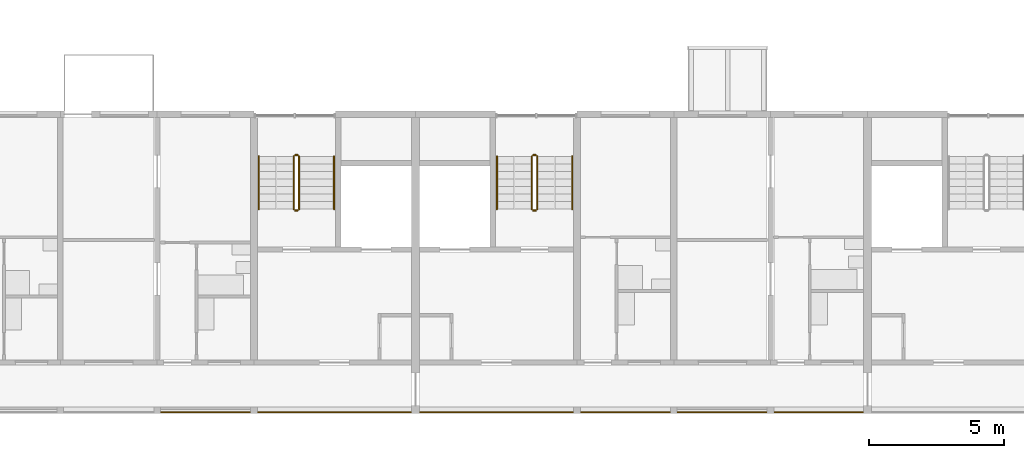
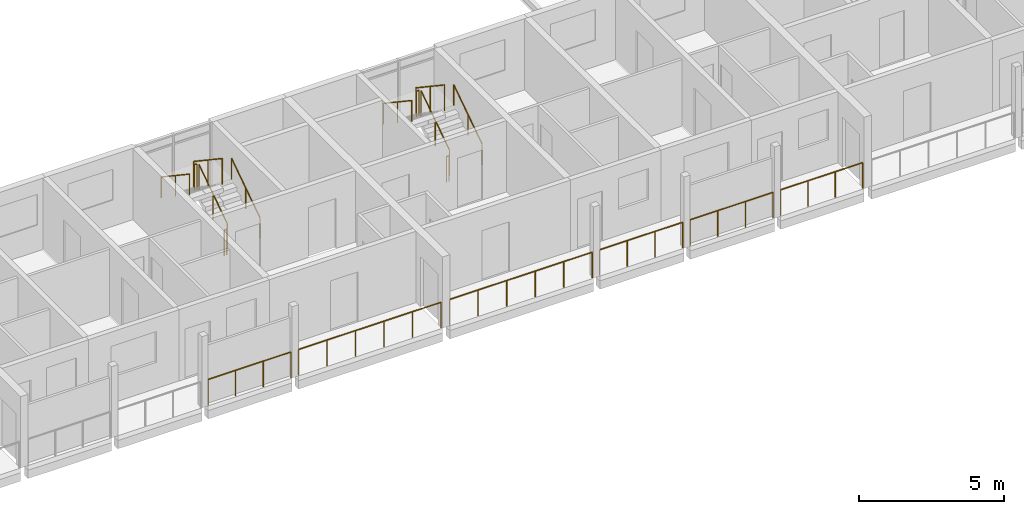
# One storey, part 92 of 99: 18 railings.
"""IFC4 building model written with IfcOpenShell, lengths in metres."""

import ifcopenshell
import ifcopenshell.guid

model = None  # the IFC model being written
_history = None  # IfcOwnerHistory: only IFC2X3 demands one
_inside = {}  # id of a spatial element -> (the spatial element, [elements in it])
_under = {}  # id of a project, library or spatial element -> (it, [spatial elements below it])
_declared = {}  # id of a project -> (the project, [libraries it declares])
_typed = {}  # id of a type object -> (the type object, [elements of that type])
_made_of = {}  # id of a material, layer set ... -> (it, [elements and type objects made of it])


def new_model(schema):
    """Start an empty IFC model of exactly this schema.

    Asked for "IFC4X3", IfcOpenShell would pick the latest addendum, in which some entities
    have other attributes; the version numbers below select the first issue.
    IFC2X3 requires an IfcOwnerHistory on every rooted entity: one is made here for all.
    """
    global model, _history
    if schema == "IFC4X3":
        model = ifcopenshell.file(schema_version=(4, 3, 0, 0))
    else:
        model = ifcopenshell.file(schema=schema)
    _inside.clear()
    _under.clear()
    _declared.clear()
    _typed.clear()
    _made_of.clear()
    _history = None
    if model.schema == "IFC2X3":
        org = make("IfcOrganization", Name="unknown")
        user = make(
            "IfcPersonAndOrganization",
            ThePerson=make("IfcPerson", FamilyName="unknown"),
            TheOrganization=org,
        )
        app = make(
            "IfcApplication",
            ApplicationDeveloper=org,
            Version="unknown",
            ApplicationFullName="unknown",
            ApplicationIdentifier="unknown",
        )
        _history = make(
            "IfcOwnerHistory",
            OwningUser=user,
            OwningApplication=app,
            ChangeAction="ADDED",
            CreationDate=0,
        )
    return model


def make(cls, **values):
    """One entity of the class cls with the attributes given. An attribute that is None is left unset."""
    return model.create_entity(
        cls, **{name: value for name, value in values.items() if value is not None}
    )


def rooted(cls, **values):
    """An entity with a GlobalId (a new one), such as an element, a storey or a relation."""
    return make(cls, GlobalId=ifcopenshell.guid.new(), OwnerHistory=_history, **values)


def si_unit(unit_type, name, prefix=None):
    """IfcSIUnit, for example si_unit("LENGTHUNIT", "METRE", prefix="MILLI")."""
    return make("IfcSIUnit", UnitType=unit_type, Prefix=prefix, Name=name)


def assignment(units):
    """IfcUnitAssignment: the units of a project."""
    return None if units is None else make("IfcUnitAssignment", Units=units)


def point(xyz):
    """IfcCartesianPoint."""
    return None if xyz is None else make("IfcCartesianPoint", Coordinates=xyz)


def direction(xyz):
    """IfcDirection."""
    return None if xyz is None else make("IfcDirection", DirectionRatios=xyz)


def frame(location, z_axis=None, x_axis=None):
    """IfcAxis2Placement3D, a coordinate frame: its origin and axes. An axis left out is left unset."""
    return make(
        "IfcAxis2Placement3D",
        Location=point(location),
        Axis=direction(z_axis),
        RefDirection=direction(x_axis),
    )


def frame_2d(location, x_axis=None):
    """IfcAxis2Placement2D, a coordinate frame in the plane: its origin and x axis."""
    return make(
        "IfcAxis2Placement2D", Location=point(location), RefDirection=direction(x_axis)
    )


def origin():
    """The frame at (0, 0, 0) with its axes left unset."""
    return frame((0.0, 0.0, 0.0))


def origin_2d():
    """The frame at (0, 0) in the plane with its x axis left unset."""
    return frame_2d((0.0, 0.0))


def place(relative_to, where):
    """IfcLocalPlacement: puts the frame where relative to a parent placement (None: the world)."""
    return make(
        "IfcLocalPlacement", PlacementRelTo=relative_to, RelativePlacement=where
    )


def context(
    kind, dimensions, precision=None, world=None, true_north=None, identifier=None
):
    """IfcGeometricRepresentationContext, for example the 3D "Model" context."""
    return make(
        "IfcGeometricRepresentationContext",
        ContextIdentifier=identifier,
        ContextType=kind,
        CoordinateSpaceDimension=dimensions,
        Precision=precision,
        WorldCoordinateSystem=world,
        TrueNorth=true_north,
    )


def subcontext(parent, identifier, kind, view, scale=None):
    """IfcGeometricRepresentationSubContext, for example "Body" below "Model"."""
    return make(
        "IfcGeometricRepresentationSubContext",
        ContextIdentifier=identifier,
        ContextType=kind,
        ParentContext=parent,
        TargetScale=scale,
        TargetView=view,
    )


def project(units=None, contexts=None):
    """IfcProject with its units and contexts."""
    return rooted(
        "IfcProject",
        Name="project",
        RepresentationContexts=contexts,
        UnitsInContext=assignment(units),
    )


def spatial(cls, under=None, at=None, **own):
    """A site, building, storey or space (cls), placed at a placement, below another one or the project."""
    s = rooted(cls, ObjectPlacement=at, **own)
    if under is not None:
        _under.setdefault(under.id(), (under, []))[1].append(s)
    return s


def profile(cls, at=None, kind="AREA", **sizes):
    """A parametric profile (cls). Its sizes go by their IFC names, for example OverallWidth=200.0."""
    return make(cls, ProfileType=kind, Position=at, **sizes)


def circle(**sizes):
    """IfcCircleProfileDef."""
    return profile("IfcCircleProfileDef", **sizes)


def extrude(swept, where, along, depth):
    """IfcExtrudedAreaSolid: the profile swept, set in the frame where, extruded along a direction by depth."""
    return make(
        "IfcExtrudedAreaSolid",
        SweptArea=swept,
        Position=where,
        ExtrudedDirection=direction(along),
        Depth=depth,
    )


def shape(context_of_items, identifier, shape_type, items):
    """IfcShapeRepresentation: the items that make up one representation, for example the "Body"."""
    return make(
        "IfcShapeRepresentation",
        ContextOfItems=context_of_items,
        RepresentationIdentifier=identifier,
        RepresentationType=shape_type,
        Items=items,
    )


def material(Name=None, Category=None):
    """IfcMaterial."""
    return make("IfcMaterial", Name=Name, Category=Category)


def made_of(thing, what):
    """Note that an element or type object is made of a material, layer set ...; save() writes the relation."""
    if what is not None:
        _made_of.setdefault(what.id(), (what, []))[1].append(thing)
    return thing


def type_object(cls, material=None, **own):
    """A type object (cls), such as IfcWallType, which elements share."""
    return made_of(rooted(cls, **own), material)


def element(
    cls,
    number,
    at=None,
    inside=None,
    cuts=None,
    type_object=None,
    material=None,
    context=None,
    identifier="Body",
    shape_type=None,
    held_by="IfcProductDefinitionShape",
    body=None,
    shapes=None,
    **own,
):
    """One element of the class cls, such as IfcWall. Its Tag is "e" and its number.

    at: its placement. inside: the storey or other place that contains it. cuts: it is an
    opening in that element (IfcRelVoidsElement). A single representation is given by context,
    identifier, shape_type and body (its items); several are given by shapes. held_by: the class
    of the entity that holds the representations. save() writes the other relations.
    """
    e = rooted(cls, Tag="e%d" % number, ObjectPlacement=at, **own)
    if body is not None:
        shapes = [shape(context, identifier, shape_type, body)]
    if shapes is not None:
        e.Representation = make(held_by, Representations=shapes)
    if inside is not None:
        _inside.setdefault(inside.id(), (inside, []))[1].append(e)
    if cuts is not None:
        rooted(
            "IfcRelVoidsElement", RelatingBuildingElement=cuts, RelatedOpeningElement=e
        )
    if type_object is not None:
        _typed.setdefault(type_object.id(), (type_object, []))[1].append(e)
    return made_of(e, material)


def aggregate(whole, parts):
    """IfcRelAggregates: a whole, such as a stair, and the parts it consists of."""
    return rooted("IfcRelAggregates", RelatingObject=whole, RelatedObjects=parts)


def save(model, path):
    """Write the relations noted so far, then the file.

    IfcRelAggregates (storeys below a building ...), IfcRelContainedInSpatialStructure (elements
    in a storey), IfcRelDefinesByType, IfcRelAssociatesMaterial and IfcRelDeclares: one each for
    every whole, place, type object, material and project.
    """
    for whole, parts in _under.values():
        aggregate(whole, parts)
    for where, things in _inside.values():
        rooted(
            "IfcRelContainedInSpatialStructure",
            RelatedElements=things,
            RelatingStructure=where,
        )
    for kind, things in _typed.values():
        rooted("IfcRelDefinesByType", RelatedObjects=things, RelatingType=kind)
    for what, things in _made_of.values():
        rooted("IfcRelAssociatesMaterial", RelatedObjects=things, RelatingMaterial=what)
    for by, libraries in _declared.values():
        rooted("IfcRelDeclares", RelatingContext=by, RelatedDefinitions=libraries)
    model.write(path)


model = new_model("IFC4")

# Units and contexts
model_context = context("Model", 3, precision=1e-05, world=origin(), true_north=direction((0.0, 1.0)))
body_context = subcontext(model_context, "Body", "Model", "MODEL_VIEW")
ifc_project = project(units=[si_unit("LENGTHUNIT", "METRE"), si_unit("AREAUNIT", "SQUARE_METRE"), si_unit("VOLUMEUNIT", "CUBIC_METRE"), si_unit("PLANEANGLEUNIT", "RADIAN"), si_unit("MASSUNIT", "GRAM", prefix="KILO")], contexts=[model_context])

# Site, building, storey
site_placement = place(None, origin())
site = spatial("IfcSite", under=ifc_project, at=site_placement, CompositionType="ELEMENT")
building_placement = place(site_placement, origin())
building = spatial("IfcBuilding", under=site, at=building_placement, Name="Ridgestep Commons", CompositionType="ELEMENT")
storey_placement = place(building_placement, frame((0.0, 0.0, 15.0)))
storey = spatial("IfcBuildingStorey", under=building, at=storey_placement, Name="L05", CompositionType="ELEMENT", Elevation=15.0)

# Railings
ifc_material_1 = material(Name="Structural steel S355JR", Category="steel")
railing_type_1 = type_object("IfcRailingType", Name="Guard 1100", PredefinedType="GUARDRAIL", material=ifc_material_1)
railing_1_placement = place(storey_placement, frame((204.5458984375, 11.800048828125, 0.0)))
element("IfcRailing", 1, at=railing_1_placement, inside=storey, type_object=railing_type_1, Name="Gallery guard D 05.15", PredefinedType="GUARDRAIL", context=body_context, shape_type="SweptSolid", body=[
    extrude(circle(Radius=0.02392578125, at=origin_2d()), frame((0.0, 0.0, 1.076171875), z_axis=(1.0, 0.0, 0.0), x_axis=(0.0, 1.0, 0.0)), (0.0, 0.0, 1.0), 3.30810546875),
    extrude(circle(Radius=0.02099609375, at=origin_2d()), origin(), (0.0, 0.0, 1.0), 1.052001953125),
    extrude(circle(Radius=0.02099609375, at=origin_2d()), frame((1.102783203125, 0.0, 0.0)), (0.0, 0.0, 1.0), 1.052001953125),
    extrude(circle(Radius=0.02099609375, at=origin_2d()), frame((2.205322265625, 0.0, 0.0)), (0.0, 0.0, 1.0), 1.052001953125),
    extrude(circle(Radius=0.02099609375, at=origin_2d()), frame((3.30810546875, 0.0, 0.0)), (0.0, 0.0, 1.0), 1.052001953125),
])
for number, where, name in (
    (2, (208.14599609375, 11.800048828125, 0.0), "Gallery guard D 05.16"),
    (3, (214.1708984375, 11.800048828125, 0.0), "Gallery guard D 05.17"),
):
    element("IfcRailing", number, at=place(storey_placement, frame(where)), inside=storey, type_object=railing_type_1, Name=name, PredefinedType="GUARDRAIL", context=body_context, shape_type="SweptSolid", body=[
        extrude(circle(Radius=0.02392578125, at=origin_2d()), frame((0.0, 0.0, 1.076171875), z_axis=(1.0, 0.0, 0.0), x_axis=(0.0, 1.0, 0.0)), (0.0, 0.0, 1.0), 5.68310546875),
        extrude(circle(Radius=0.02099609375, at=origin_2d()), origin(), (0.0, 0.0, 1.0), 1.052001953125),
        extrude(circle(Radius=0.02099609375, at=origin_2d()), frame((1.13671875, 0.0, 0.0)), (0.0, 0.0, 1.0), 1.052001953125),
        extrude(circle(Radius=0.02099609375, at=origin_2d()), frame((2.273193359375, 0.0, 0.0)), (0.0, 0.0, 1.0), 1.052001953125),
        extrude(circle(Radius=0.02099609375, at=origin_2d()), frame((3.409912109375, 0.0, 0.0)), (0.0, 0.0, 1.0), 1.052001953125),
        extrude(circle(Radius=0.02099609375, at=origin_2d()), frame((4.54638671875, 0.0, 0.0)), (0.0, 0.0, 1.0), 1.052001953125),
        extrude(circle(Radius=0.02099609375, at=origin_2d()), frame((5.68310546875, 0.0, 0.0)), (0.0, 0.0, 1.0), 1.052001953125),
    ])
railing_2_placement = place(storey_placement, frame((220.14599609375, 11.800048828125, 0.0)))
element("IfcRailing", 4, at=railing_2_placement, inside=storey, type_object=railing_type_1, Name="Gallery guard D 05.18", PredefinedType="GUARDRAIL", context=body_context, shape_type="SweptSolid", body=[
    extrude(circle(Radius=0.02392578125, at=origin_2d()), frame((0.0, 0.0, 1.076171875), z_axis=(1.0, 0.0, 0.0), x_axis=(0.0, 1.0, 0.0)), (0.0, 0.0, 1.0), 3.30810546875),
    extrude(circle(Radius=0.02099609375, at=origin_2d()), origin(), (0.0, 0.0, 1.0), 1.052001953125),
    extrude(circle(Radius=0.02099609375, at=origin_2d()), frame((1.102783203125, 0.0, 0.0)), (0.0, 0.0, 1.0), 1.052001953125),
    extrude(circle(Radius=0.02099609375, at=origin_2d()), frame((2.205322265625, 0.0, 0.0)), (0.0, 0.0, 1.0), 1.052001953125),
    extrude(circle(Radius=0.02099609375, at=origin_2d()), frame((3.30810546875, 0.0, 0.0)), (0.0, 0.0, 1.0), 1.052001953125),
])
railing_3_placement = place(storey_placement, frame((223.74609375, 11.800048828125, 0.0)))
element("IfcRailing", 5, at=railing_3_placement, inside=storey, type_object=railing_type_1, Name="Gallery guard D 05.19", PredefinedType="GUARDRAIL", context=body_context, shape_type="SweptSolid", body=[
    extrude(circle(Radius=0.02392578125, at=origin_2d()), frame((0.0, 0.0, 1.076171875), z_axis=(1.0, 0.0, 0.0), x_axis=(0.0, 1.0, 0.0)), (0.0, 0.0, 1.0), 3.307861328125),
    extrude(circle(Radius=0.02099609375, at=origin_2d()), origin(), (0.0, 0.0, 1.0), 1.052001953125),
    extrude(circle(Radius=0.02099609375, at=origin_2d()), frame((1.1025390625, 0.0, 0.0)), (0.0, 0.0, 1.0), 1.052001953125),
    extrude(circle(Radius=0.02099609375, at=origin_2d()), frame((2.205322265625, 0.0, 0.0)), (0.0, 0.0, 1.0), 1.052001953125),
    extrude(circle(Radius=0.02099609375, at=origin_2d()), frame((3.307861328125, 0.0, 0.0)), (0.0, 0.0, 1.0), 1.052001953125),
])
railing_4_placement = place(storey_placement, frame((227.345947265625, 11.800048828125, 0.0)))
element("IfcRailing", 6, at=railing_4_placement, inside=storey, type_object=railing_type_1, Name="Gallery guard D 05.20", PredefinedType="GUARDRAIL", context=body_context, shape_type="SweptSolid", body=[
    extrude(circle(Radius=0.02392578125, at=origin_2d()), frame((0.0, 0.0, 1.076171875), z_axis=(1.0, 0.0, 0.0), x_axis=(0.0, 1.0, 0.0)), (0.0, 0.0, 1.0), 3.282958984375),
    extrude(circle(Radius=0.02099609375, at=origin_2d()), origin(), (0.0, 0.0, 1.0), 1.052001953125),
    extrude(circle(Radius=0.02099609375, at=origin_2d()), frame((1.09423828125, 0.0, 0.0)), (0.0, 0.0, 1.0), 1.052001953125),
    extrude(circle(Radius=0.02099609375, at=origin_2d()), frame((2.188720703125, 0.0, 0.0)), (0.0, 0.0, 1.0), 1.052001953125),
    extrude(circle(Radius=0.02099609375, at=origin_2d()), frame((3.282958984375, 0.0, 0.0)), (0.0, 0.0, 1.0), 1.052001953125),
])
ifc_material_2 = material(Name="Structural steel S355JR", Category="steel")
railing_type_2 = type_object("IfcRailingType", Name="Stair guard 1100", PredefinedType="GUARDRAIL", material=ifc_material_2)
railing_5_placement = place(storey_placement, frame((209.675048828125, 19.35009765625, 0.1875)))
element("IfcRailing", 7, at=railing_5_placement, inside=storey, type_object=railing_type_2, Name="L05 D4C stair guard 1", PredefinedType="GUARDRAIL", context=body_context, shape_type="SweptSolid", body=[
    extrude(circle(Radius=0.02392578125, at=origin_2d()), frame((0.0, 0.0, 1.076171875), z_axis=(0.0, 0.830902050051, 0.556418712142), x_axis=(-1.0, 0.0, 0.0)), (0.0, 0.0, 1.0), 2.35888671875),
    extrude(circle(Radius=0.02099609375, at=origin_2d()), origin(), (0.0, 0.0, 1.0), 1.052001953125),
    extrude(circle(Radius=0.02099609375, at=origin_2d()), frame((0.0, 0.97998046875, 0.65625)), (0.0, 0.0, 1.0), 1.052001953125),
    extrude(circle(Radius=0.02099609375, at=origin_2d()), frame((0.0, 1.9599609375, 1.3125)), (0.0, 0.0, 1.0), 1.052001953125),
])
railing_6_placement = place(storey_placement, frame((209.625, 21.360107421875, 1.5)))
element("IfcRailing", 8, at=railing_6_placement, inside=storey, type_object=railing_type_2, Name="L05 D4C stair guard 2", PredefinedType="GUARDRAIL", context=body_context, shape_type="SweptSolid", body=[
    extrude(circle(Radius=0.02392578125, at=origin_2d()), frame((0.0, 0.0, 1.076171875), z_axis=(-1.0, 0.0, 0.0), x_axis=(0.0, -1.0, 0.0)), (0.0, 0.0, 1.0), 0.10009765625),
    extrude(circle(Radius=0.02099609375, at=origin_2d()), origin(), (0.0, 0.0, 1.0), 1.052001953125),
    extrude(circle(Radius=0.02099609375, at=origin_2d()), frame((-0.10009765625, 0.0, 0.0)), (0.0, 0.0, 1.0), 1.052001953125),
])
railing_7_placement = place(storey_placement, frame((209.47509765625, 21.31005859375, 1.6875)))
element("IfcRailing", 9, at=railing_7_placement, inside=storey, type_object=railing_type_2, Name="L05 D4C stair guard 3", PredefinedType="GUARDRAIL", context=body_context, shape_type="SweptSolid", body=[
    extrude(circle(Radius=0.02392578125, at=origin_2d()), frame((0.0, 0.0, 1.076171875), z_axis=(0.0, -0.830902050051, 0.556418712142), x_axis=(1.0, 0.0, 0.0)), (0.0, 0.0, 1.0), 2.35888671875),
    extrude(circle(Radius=0.02099609375, at=origin_2d()), origin(), (0.0, 0.0, 1.0), 1.052001953125),
    extrude(circle(Radius=0.02099609375, at=origin_2d()), frame((0.0, -0.97998046875, 0.65625)), (0.0, 0.0, 1.0), 1.052001953125),
    extrude(circle(Radius=0.02099609375, at=origin_2d()), frame((0.0, -1.9599609375, 1.3125)), (0.0, 0.0, 1.0), 1.052001953125),
])
railing_8_placement = place(storey_placement, frame((209.625, 19.300048828125, 0.0)))
element("IfcRailing", 10, at=railing_8_placement, inside=storey, type_object=railing_type_2, Name="L05 D4C stair guard 4", PredefinedType="GUARDRAIL", context=body_context, shape_type="SweptSolid", body=[
    extrude(circle(Radius=0.02392578125, at=origin_2d()), frame((0.0, 0.0, 1.076171875), z_axis=(-1.0, 0.0, 0.0), x_axis=(0.0, -1.0, 0.0)), (0.0, 0.0, 1.0), 0.10009765625),
    extrude(circle(Radius=0.02099609375, at=origin_2d()), origin(), (0.0, 0.0, 1.0), 1.052001953125),
    extrude(circle(Radius=0.02099609375, at=origin_2d()), frame((-0.10009765625, 0.0, 0.0)), (0.0, 0.0, 1.0), 1.052001953125),
])
railing_9_placement = place(storey_placement, frame((218.52490234375, 19.35009765625, 0.1875)))
element("IfcRailing", 11, at=railing_9_placement, inside=storey, type_object=railing_type_2, Name="L05 D5C stair guard 1", PredefinedType="GUARDRAIL", context=body_context, shape_type="SweptSolid", body=[
    extrude(circle(Radius=0.02392578125, at=origin_2d()), frame((0.0, 0.0, 1.076171875), z_axis=(0.0, 0.830902050051, 0.556418712142), x_axis=(-1.0, 0.0, 0.0)), (0.0, 0.0, 1.0), 2.35888671875),
    extrude(circle(Radius=0.02099609375, at=origin_2d()), origin(), (0.0, 0.0, 1.0), 1.052001953125),
    extrude(circle(Radius=0.02099609375, at=origin_2d()), frame((0.0, 0.97998046875, 0.65625)), (0.0, 0.0, 1.0), 1.052001953125),
    extrude(circle(Radius=0.02099609375, at=origin_2d()), frame((0.0, 1.9599609375, 1.3125)), (0.0, 0.0, 1.0), 1.052001953125),
])
railing_10_placement = place(storey_placement, frame((218.47509765625, 21.360107421875, 1.5)))
element("IfcRailing", 12, at=railing_10_placement, inside=storey, type_object=railing_type_2, Name="L05 D5C stair guard 2", PredefinedType="GUARDRAIL", context=body_context, shape_type="SweptSolid", body=[
    extrude(circle(Radius=0.02392578125, at=origin_2d()), frame((0.0, 0.0, 1.076171875), z_axis=(-1.0, 0.0, 0.0), x_axis=(0.0, -1.0, 0.0)), (0.0, 0.0, 1.0), 0.10009765625),
    extrude(circle(Radius=0.02099609375, at=origin_2d()), origin(), (0.0, 0.0, 1.0), 1.052001953125),
    extrude(circle(Radius=0.02099609375, at=origin_2d()), frame((-0.10009765625, 0.0, 0.0)), (0.0, 0.0, 1.0), 1.052001953125),
])
railing_11_placement = place(storey_placement, frame((218.324951171875, 21.31005859375, 1.6875)))
element("IfcRailing", 13, at=railing_11_placement, inside=storey, type_object=railing_type_2, Name="L05 D5C stair guard 3", PredefinedType="GUARDRAIL", context=body_context, shape_type="SweptSolid", body=[
    extrude(circle(Radius=0.02392578125, at=origin_2d()), frame((0.0, 0.0, 1.076171875), z_axis=(0.0, -0.830902050051, 0.556418712142), x_axis=(1.0, 0.0, 0.0)), (0.0, 0.0, 1.0), 2.35888671875),
    extrude(circle(Radius=0.02099609375, at=origin_2d()), origin(), (0.0, 0.0, 1.0), 1.052001953125),
    extrude(circle(Radius=0.02099609375, at=origin_2d()), frame((0.0, -0.97998046875, 0.65625)), (0.0, 0.0, 1.0), 1.052001953125),
    extrude(circle(Radius=0.02099609375, at=origin_2d()), frame((0.0, -1.9599609375, 1.3125)), (0.0, 0.0, 1.0), 1.052001953125),
])
railing_12_placement = place(storey_placement, frame((218.47509765625, 19.300048828125, 0.0)))
element("IfcRailing", 14, at=railing_12_placement, inside=storey, type_object=railing_type_2, Name="L05 D5C stair guard 4", PredefinedType="GUARDRAIL", context=body_context, shape_type="SweptSolid", body=[
    extrude(circle(Radius=0.02392578125, at=origin_2d()), frame((0.0, 0.0, 1.076171875), z_axis=(-1.0, 0.0, 0.0), x_axis=(0.0, -1.0, 0.0)), (0.0, 0.0, 1.0), 0.10009765625),
    extrude(circle(Radius=0.02099609375, at=origin_2d()), origin(), (0.0, 0.0, 1.0), 1.052001953125),
    extrude(circle(Radius=0.02099609375, at=origin_2d()), frame((-0.10009765625, 0.0, 0.0)), (0.0, 0.0, 1.0), 1.052001953125),
])
ifc_material_3 = material(Name="Structural steel S355JR", Category="steel")
railing_type_3 = type_object("IfcRailingType", Name="Stair handrail 900", PredefinedType="HANDRAIL", material=ifc_material_3)
railing_13_placement = place(storey_placement, frame((210.97509765625, 19.35009765625, 0.1875)))
element("IfcRailing", 15, at=railing_13_placement, inside=storey, type_object=railing_type_3, Name="L05 D4C stair handrail 1", PredefinedType="HANDRAIL", context=body_context, shape_type="SweptSolid", body=[
    extrude(circle(Radius=0.02392578125, at=origin_2d()), frame((0.0, 0.0, 0.8759765625), z_axis=(0.0, 0.830902050051, 0.556418712142), x_axis=(-1.0, 0.0, 0.0)), (0.0, 0.0, 1.0), 2.35888671875),
    extrude(circle(Radius=0.02099609375, at=origin_2d()), origin(), (0.0, 0.0, 1.0), 0.851806640625),
    extrude(circle(Radius=0.02099609375, at=origin_2d()), frame((0.0, 0.97998046875, 0.65625)), (0.0, 0.0, 1.0), 0.851806640625),
    extrude(circle(Radius=0.02099609375, at=origin_2d()), frame((0.0, 1.9599609375, 1.3125)), (0.0, 0.0, 1.0), 0.851806640625),
])
railing_14_placement = place(storey_placement, frame((208.175048828125, 21.31005859375, 1.6875)))
element("IfcRailing", 16, at=railing_14_placement, inside=storey, type_object=railing_type_3, Name="L05 D4C stair handrail 2", PredefinedType="HANDRAIL", context=body_context, shape_type="SweptSolid", body=[
    extrude(circle(Radius=0.02392578125, at=origin_2d()), frame((0.0, 0.0, 0.8759765625), z_axis=(0.0, -0.830902050051, 0.556418712142), x_axis=(1.0, 0.0, 0.0)), (0.0, 0.0, 1.0), 2.35888671875),
    extrude(circle(Radius=0.02099609375, at=origin_2d()), origin(), (0.0, 0.0, 1.0), 0.851806640625),
    extrude(circle(Radius=0.02099609375, at=origin_2d()), frame((0.0, -0.97998046875, 0.65625)), (0.0, 0.0, 1.0), 0.851806640625),
    extrude(circle(Radius=0.02099609375, at=origin_2d()), frame((0.0, -1.9599609375, 1.3125)), (0.0, 0.0, 1.0), 0.851806640625),
])
railing_15_placement = place(storey_placement, frame((219.824951171875, 19.35009765625, 0.1875)))
element("IfcRailing", 17, at=railing_15_placement, inside=storey, type_object=railing_type_3, Name="L05 D5C stair handrail 1", PredefinedType="HANDRAIL", context=body_context, shape_type="SweptSolid", body=[
    extrude(circle(Radius=0.02392578125, at=origin_2d()), frame((0.0, 0.0, 0.8759765625), z_axis=(0.0, 0.830902050051, 0.556418712142), x_axis=(-1.0, 0.0, 0.0)), (0.0, 0.0, 1.0), 2.35888671875),
    extrude(circle(Radius=0.02099609375, at=origin_2d()), origin(), (0.0, 0.0, 1.0), 0.851806640625),
    extrude(circle(Radius=0.02099609375, at=origin_2d()), frame((0.0, 0.97998046875, 0.65625)), (0.0, 0.0, 1.0), 0.851806640625),
    extrude(circle(Radius=0.02099609375, at=origin_2d()), frame((0.0, 1.9599609375, 1.3125)), (0.0, 0.0, 1.0), 0.851806640625),
])
railing_16_placement = place(storey_placement, frame((217.02490234375, 21.31005859375, 1.6875)))
element("IfcRailing", 18, at=railing_16_placement, inside=storey, type_object=railing_type_3, Name="L05 D5C stair handrail 2", PredefinedType="HANDRAIL", context=body_context, shape_type="SweptSolid", body=[
    extrude(circle(Radius=0.02392578125, at=origin_2d()), frame((0.0, 0.0, 0.8759765625), z_axis=(0.0, -0.830902050051, 0.556418712142), x_axis=(1.0, 0.0, 0.0)), (0.0, 0.0, 1.0), 2.35888671875),
    extrude(circle(Radius=0.02099609375, at=origin_2d()), origin(), (0.0, 0.0, 1.0), 0.851806640625),
    extrude(circle(Radius=0.02099609375, at=origin_2d()), frame((0.0, -0.97998046875, 0.65625)), (0.0, 0.0, 1.0), 0.851806640625),
    extrude(circle(Radius=0.02099609375, at=origin_2d()), frame((0.0, -1.9599609375, 1.3125)), (0.0, 0.0, 1.0), 0.851806640625),
])

save(model, "model.ifc")
